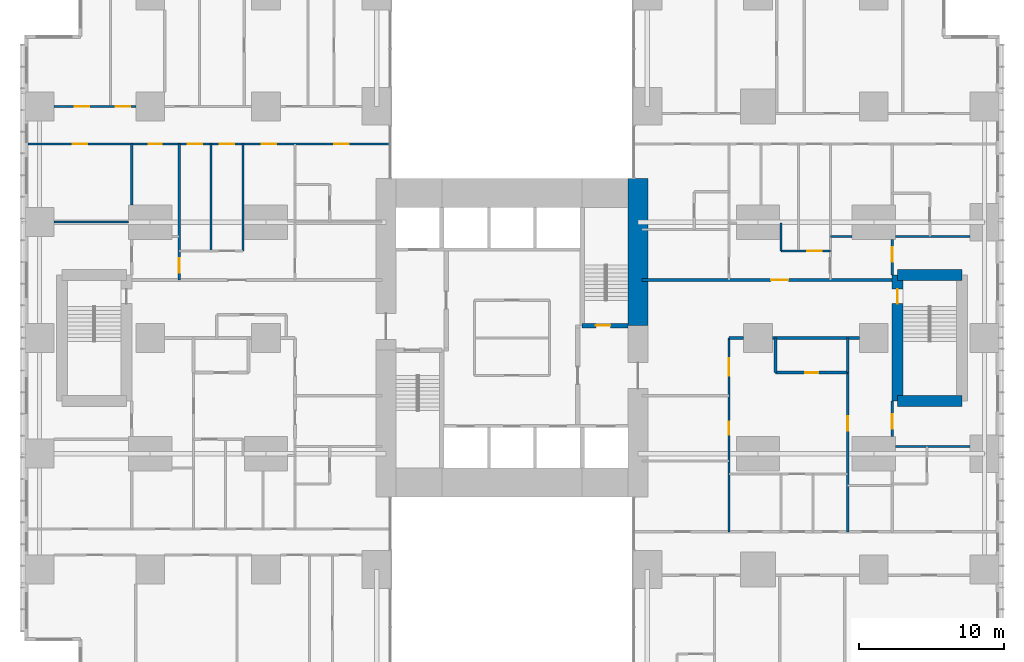
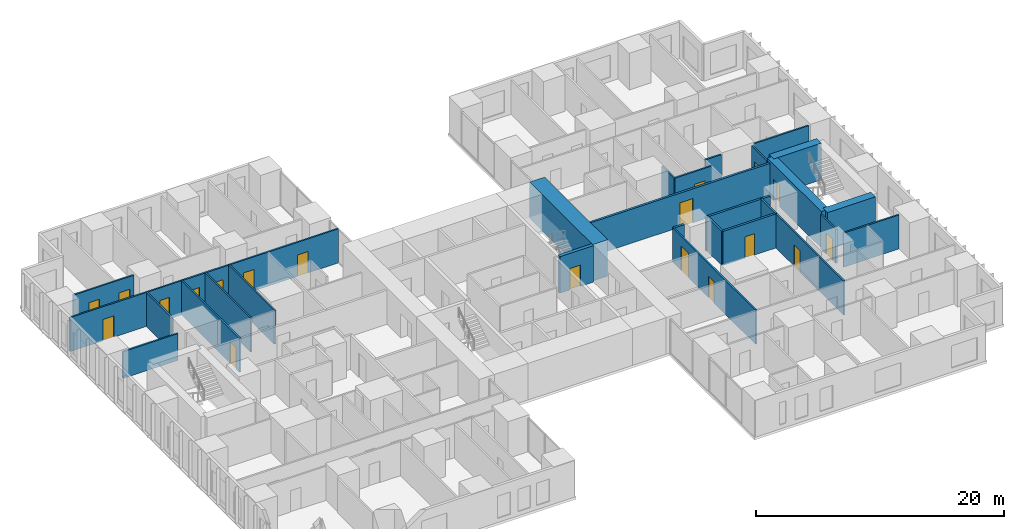
# One storey, part 16 of 20: 27 walls, 19 doors, 19 openings.
"""IFC4 building model written with IfcOpenShell, lengths in metres."""

from ifc_helpers import new_model, si_unit, direction, frame, frame_2d, origin, place, context, subcontext, project, spatial, rectangle, extrude, material, layer, layer_set, type_object, element, fill, save


model = new_model("IFC4")

# Units and contexts
model_context = context("Model", 3, precision=1e-05, world=origin(), true_north=direction((0.0, 1.0)))
body_context = subcontext(model_context, "Body", "Model", "MODEL_VIEW")
ifc_project = project(units=[si_unit("LENGTHUNIT", "METRE"), si_unit("AREAUNIT", "SQUARE_METRE"), si_unit("VOLUMEUNIT", "CUBIC_METRE"), si_unit("PLANEANGLEUNIT", "RADIAN"), si_unit("MASSUNIT", "GRAM", prefix="KILO")], contexts=[model_context])

# Site, building, storey
site_placement = place(None, origin())
site = spatial("IfcSite", under=ifc_project, at=site_placement, CompositionType="ELEMENT")
building_placement = place(site_placement, origin())
building = spatial("IfcBuilding", under=site, at=building_placement, Name="Cleftline Residences", CompositionType="ELEMENT")
storey_placement = place(building_placement, frame((0.0, 0.0, 99.800048828125)))
storey = spatial("IfcBuildingStorey", under=building, at=storey_placement, Name="L25", CompositionType="ELEMENT", Elevation=99.800048828125)

# Wall
ifc_material_1 = material(Name="Concrete B70", Category="concrete")
ifc_layer_1 = layer(ifc_material_1, 1.39990234375)
ifc_layer_set_1 = layer_set([ifc_layer_1], Name="CORE WALL 1400")
wall_type_1 = type_object("IfcWallType", Name="CORE WALL 1400", PredefinedType="SHEAR", material=ifc_layer_set_1)
wall_1_placement = place(storey_placement, frame((41.699951171875, 24.85009765625, 0.0), z_axis=(0.0, 0.0, 1.0), x_axis=(0.0, 1.0, 0.0)))
element("IfcWall", 1, at=wall_1_placement, inside=storey, type_object=wall_type_1, Name="Core wall E1", PredefinedType="SHEAR", context=body_context, shape_type="SweptSolid", body=[
    extrude(rectangle(XDim=10.14990234375, YDim=1.39990234375, at=frame_2d((5.074951171875, 0.0))), origin(), (0.0, 0.0, 1.0), 3.599853515625),
])

# Wall, opening, door
ifc_material_2 = material(Name="Concrete B70", Category="concrete")
ifc_layer_2 = layer(ifc_material_2, 0.300048828125)
ifc_layer_set_2 = layer_set([ifc_layer_2], Name="CORE WALL 300")
wall_type_2 = type_object("IfcWallType", Name="CORE WALL 300", PredefinedType="SHEAR", material=ifc_layer_set_2)
wall_2_placement = place(storey_placement, frame((37.85009765625, 24.85009765625, 0.0), z_axis=(0.0, 0.0, 1.0), x_axis=(1.0, 0.0, 0.0)))
wall_2 = element("IfcWall", 2, at=wall_2_placement, inside=storey, type_object=wall_type_2, Name="Core wall SB-S", PredefinedType="SHEAR", context=body_context, shape_type="SweptSolid", body=[
    extrude(rectangle(XDim=3.14990234375, YDim=0.300048828125, at=frame_2d((1.574951171875, 0.0))), origin(), (0.0, 0.0, 1.0), 3.599853515625),
])
opening_1_placement = place(wall_2_placement, frame((0.949951171875, 0.0, 0.0)))
opening_1 = element("IfcOpeningElement", 3, at=opening_1_placement, cuts=wall_2, Name="Opening D5", PredefinedType="OPENING", context=body_context, shape_type="SweptSolid", body=[
    extrude(rectangle(XDim=1.0, YDim=2.10009765625, at=frame_2d((0.5, 1.050048828125))), frame((0.0, 0.159912109375, 0.0), z_axis=(0.0, -1.0, 0.0), x_axis=(1.0, 0.0, 0.0)), (0.0, 0.0, 1.0), 0.320068359375),
])
ifc_material_3 = material(Name="Steel", Category="steel")
door_type_1 = type_object("IfcDoorType", Name="STAIR DOOR 1000X2100", OperationType="SINGLE_SWING_LEFT", PredefinedType="DOOR", material=ifc_material_3)
door_1_placement = place(opening_1_placement, origin())
door_1 = element("IfcDoor", 4, at=door_1_placement, inside=storey, type_object=door_type_1, Name="Stair B door", OperationType="SINGLE_SWING_RIGHT", OverallHeight=2.10009765625, OverallWidth=1.0, PredefinedType="DOOR", context=body_context, shape_type="SweptSolid", body=[
    extrude(rectangle(XDim=1.0, YDim=2.10009765625, at=frame_2d((0.5, 1.050048828125))), frame((0.0, 0.02490234375, 0.0), z_axis=(0.0, -1.0, 0.0), x_axis=(1.0, 0.0, 0.0)), (0.0, 0.0, 1.0), 0.050048828125),
])
fill(opening_1, door_1)

ifc_material_4 = material(Name="Concrete blockwork, fire rated", Category="masonry")
ifc_layer_3 = layer(ifc_material_4, 0.199951171875)
ifc_layer_set_3 = layer_set([ifc_layer_3], Name="FIRE WALL 200")
wall_type_3 = type_object("IfcWallType", Name="FIRE WALL 200", PredefinedType="PARTITIONING", material=ifc_layer_set_3)
wall_3_placement = place(storey_placement, frame((51.199951171875, 21.60009765625, 0.0), z_axis=(0.0, 0.0, 1.0), x_axis=(1.0, 0.0, 0.0)))
wall_3 = element("IfcWall", 5, at=wall_3_placement, inside=storey, type_object=wall_type_3, Name="Fire separating wall", PredefinedType="PARTITIONING", context=body_context, shape_type="SweptSolid", body=[
    extrude(rectangle(XDim=5.0, YDim=0.199951171875, at=frame_2d((2.5, 0.0))), origin(), (0.0, 0.0, 1.0), 3.349853515625),
])
opening_2_placement = place(wall_3_placement, frame((2.050048828125, 0.0, 0.0)))
opening_2 = element("IfcOpeningElement", 6, at=opening_2_placement, cuts=wall_3, Name="Opening D1F30", PredefinedType="OPENING", context=body_context, shape_type="SweptSolid", body=[
    extrude(rectangle(XDim=0.89990234375, YDim=2.10009765625, at=frame_2d((0.449951171875, 1.050048828125))), frame((0.0, 0.10986328125, 0.0), z_axis=(0.0, -1.0, 0.0), x_axis=(1.0, 0.0, 0.0)), (0.0, 0.0, 1.0), 0.219970703125),
])
ifc_material_5 = material(Name="Timber veneer on solid core", Category="wood")
door_type_2 = type_object("IfcDoorType", Name="DOOR 900X2100 EI 30", OperationType="SINGLE_SWING_LEFT", PredefinedType="DOOR", material=ifc_material_5)
door_2_placement = place(opening_2_placement, origin())
door_2 = element("IfcDoor", 7, at=door_2_placement, inside=storey, type_object=door_type_2, Name="Door to cloakroom wc", OperationType="SINGLE_SWING_LEFT", OverallHeight=2.10009765625, OverallWidth=0.89990234375, PredefinedType="DOOR", context=body_context, shape_type="SweptSolid", body=[
    extrude(rectangle(XDim=0.89990234375, YDim=2.10009765625, at=frame_2d((0.449951171875, 1.050048828125))), frame((0.0, 0.02490234375, 0.0), z_axis=(0.0, -1.0, 0.0), x_axis=(1.0, 0.0, 0.0)), (0.0, 0.0, 1.0), 0.050048828125),
])
fill(opening_2, door_2)

# Walls
wall_4_placement = place(storey_placement, frame((48.0, 24.0, 0.0), z_axis=(0.0, 0.0, 1.0), x_axis=(1.0, 0.0, 0.0)))
element("IfcWall", 8, at=wall_4_placement, inside=storey, type_object=wall_type_3, Name="Fire separating wall", PredefinedType="PARTITIONING", context=body_context, shape_type="SweptSolid", body=[
    extrude(rectangle(XDim=1.0, YDim=0.199951171875, at=frame_2d((0.5, 0.0))), origin(), (0.0, 0.0, 1.0), 3.349853515625),
])
wall_5_placement = place(storey_placement, frame((51.0, 24.0, 0.0), z_axis=(0.0, 0.0, 1.0), x_axis=(1.0, 0.0, 0.0)))
element("IfcWall", 9, at=wall_5_placement, inside=storey, type_object=wall_type_3, Name="Fire separating wall", PredefinedType="PARTITIONING", context=body_context, shape_type="SweptSolid", body=[
    extrude(rectangle(XDim=6.0, YDim=0.199951171875, at=frame_2d((3.0, 0.0))), origin(), (0.0, 0.0, 1.0), 3.349853515625),
])

# Wall, opening, door
wall_6_placement = place(storey_placement, frame((42.0, 28.0, 0.0), z_axis=(0.0, 0.0, 1.0), x_axis=(1.0, 0.0, 0.0)))
wall_6 = element("IfcWall", 10, at=wall_6_placement, inside=storey, type_object=wall_type_3, Name="Fire separating wall", PredefinedType="PARTITIONING", context=body_context, shape_type="SweptSolid", body=[
    extrude(rectangle(XDim=17.27490234375, YDim=0.199951171875, at=frame_2d((8.637451171875, 0.0))), origin(), (0.0, 0.0, 1.0), 3.349853515625),
])
opening_3_placement = place(wall_6_placement, frame((8.89990234375, 0.0, 0.0)))
opening_3 = element("IfcOpeningElement", 11, at=opening_3_placement, cuts=wall_6, Name="Opening D4", PredefinedType="OPENING", context=body_context, shape_type="SweptSolid", body=[
    extrude(rectangle(XDim=1.199951171875, YDim=2.39990234375, at=frame_2d((0.60009765625, 1.199951171875))), frame((0.0, 0.10986328125, 0.0), z_axis=(0.0, -1.0, 0.0), x_axis=(1.0, 0.0, 0.0)), (0.0, 0.0, 1.0), 0.219970703125),
])
ifc_material_6 = material(Name="Timber veneer on solid core", Category="wood")
door_type_3 = type_object("IfcDoorType", Name="APARTMENT ENTRANCE DOOR 1200X2400", OperationType="SINGLE_SWING_RIGHT", PredefinedType="DOOR", material=ifc_material_6)
door_3_placement = place(opening_3_placement, origin())
door_3 = element("IfcDoor", 12, at=door_3_placement, inside=storey, type_object=door_type_3, Name="Door to residence entrance foyer", OperationType="SINGLE_SWING_LEFT", OverallHeight=2.39990234375, OverallWidth=1.199951171875, PredefinedType="DOOR", context=body_context, shape_type="SweptSolid", body=[
    extrude(rectangle(XDim=1.199951171875, YDim=2.39990234375, at=frame_2d((0.60009765625, 1.199951171875))), frame((0.0, 0.02490234375, 0.0), z_axis=(0.0, -1.0, 0.0), x_axis=(1.0, 0.0, 0.0)), (0.0, 0.0, 1.0), 0.050048828125),
])
fill(opening_3, door_3)

# Walls
for number, where, z_axis, x_axis, name in (
    (13, (51.199951171875, 21.60009765625, 0.0), (0.0, 0.0, 1.0), (0.0, 1.0, 0.0), "Fire separating wall"),
    (14, (56.199951171875, 21.60009765625, 0.0), (0.0, 0.0, 1.0), (0.0, 1.0, 0.0), "Fire separating wall"),
):
    element("IfcWall", number, at=place(storey_placement, frame(where, z_axis=z_axis, x_axis=x_axis)), inside=storey, type_object=wall_type_3, Name=name, PredefinedType="PARTITIONING", context=body_context, shape_type="SweptSolid", body=[
        extrude(rectangle(XDim=2.39990234375, YDim=0.199951171875, at=frame_2d((1.199951171875, 0.0))), origin(), (0.0, 0.0, 1.0), 3.349853515625),
    ])
ifc_material_7 = material(Name="Gypsum board on steel studs", Category="steel")
ifc_layer_4 = layer(ifc_material_7, 0.14990234375)
ifc_layer_set_4 = layer_set([ifc_layer_4], Name="PARTITION 150")
wall_type_4 = type_object("IfcWallType", Name="PARTITION 150", PredefinedType="PARTITIONING", material=ifc_layer_set_4)
wall_7_placement = place(storey_placement, frame((59.5, 16.5, 0.0), z_axis=(0.0, 0.0, 1.0), x_axis=(1.0, 0.0, 0.0)))
element("IfcWall", 15, at=wall_7_placement, inside=storey, type_object=wall_type_4, Name="Partition", PredefinedType="PARTITIONING", context=body_context, shape_type="SweptSolid", body=[
    extrude(rectangle(XDim=5.14990234375, YDim=0.14990234375, at=frame_2d((2.574951171875, 0.0))), origin(), (0.0, 0.0, 1.0), 3.349853515625),
])

# Wall, opening, door
wall_8_placement = place(storey_placement, frame((51.60009765625, 30.0, 0.0), z_axis=(0.0, 0.0, 1.0), x_axis=(1.0, 0.0, 0.0)))
wall_8 = element("IfcWall", 16, at=wall_8_placement, inside=storey, type_object=wall_type_4, Name="Partition", PredefinedType="PARTITIONING", context=body_context, shape_type="SweptSolid", body=[
    extrude(rectangle(XDim=3.39990234375, YDim=0.14990234375, at=frame_2d((1.699951171875, 0.0))), origin(), (0.0, 0.0, 1.0), 3.349853515625),
])
opening_4_placement = place(wall_8_placement, frame((1.800048828125, 0.0, 0.0)))
opening_4 = element("IfcOpeningElement", 17, at=opening_4_placement, cuts=wall_8, Name="Opening D2", PredefinedType="OPENING", context=body_context, shape_type="SweptSolid", body=[
    extrude(rectangle(XDim=1.0, YDim=2.10009765625, at=frame_2d((0.5, 1.050048828125))), frame((0.0, 0.0849609375, 0.0), z_axis=(0.0, -1.0, 0.0), x_axis=(1.0, 0.0, 0.0)), (0.0, 0.0, 1.0), 0.169921875),
])
ifc_material_8 = material(Name="Timber veneer on solid core", Category="wood")
door_type_4 = type_object("IfcDoorType", Name="DOOR 1000X2100", OperationType="SINGLE_SWING_LEFT", PredefinedType="DOOR", material=ifc_material_8)
door_4_placement = place(opening_4_placement, origin())
door_4 = element("IfcDoor", 18, at=door_4_placement, inside=storey, type_object=door_type_4, Name="Door to residence passage", OperationType="SINGLE_SWING_LEFT", OverallHeight=2.10009765625, OverallWidth=1.0, PredefinedType="DOOR", context=body_context, shape_type="SweptSolid", body=[
    extrude(rectangle(XDim=1.0, YDim=2.10009765625, at=frame_2d((0.5, 1.050048828125))), frame((0.0, 0.02490234375, 0.0), z_axis=(0.0, -1.0, 0.0), x_axis=(1.0, 0.0, 0.0)), (0.0, 0.0, 1.0), 0.050048828125),
])
fill(opening_4, door_4)

# Walls
wall_9_placement = place(storey_placement, frame((55.0, 31.0, 0.0), z_axis=(0.0, 0.0, 1.0), x_axis=(1.0, 0.0, 0.0)))
element("IfcWall", 19, at=wall_9_placement, inside=storey, type_object=wall_type_4, Name="Partition", PredefinedType="PARTITIONING", context=body_context, shape_type="SweptSolid", body=[
    extrude(rectangle(XDim=1.5, YDim=0.14990234375, at=frame_2d((0.75, 0.0))), origin(), (0.0, 0.0, 1.0), 3.349853515625),
])
wall_10_placement = place(storey_placement, frame((59.5, 31.0, 0.0), z_axis=(0.0, 0.0, 1.0), x_axis=(1.0, 0.0, 0.0)))
element("IfcWall", 20, at=wall_10_placement, inside=storey, type_object=wall_type_4, Name="Partition", PredefinedType="PARTITIONING", context=body_context, shape_type="SweptSolid", body=[
    extrude(rectangle(XDim=5.14990234375, YDim=0.14990234375, at=frame_2d((2.574951171875, 0.0))), origin(), (0.0, 0.0, 1.0), 3.349853515625),
])
wall_11_placement = place(storey_placement, frame((1.35009765625, 32.0, 0.0), z_axis=(0.0, 0.0, 1.0), x_axis=(1.0, 0.0, 0.0)))
element("IfcWall", 21, at=wall_11_placement, inside=storey, type_object=wall_type_4, Name="Partition", PredefinedType="PARTITIONING", context=body_context, shape_type="SweptSolid", body=[
    extrude(rectangle(XDim=5.14990234375, YDim=0.14990234375, at=frame_2d((2.574951171875, 0.0))), origin(), (0.0, 0.0, 1.0), 2.634033203125),
])

# Wall, openings, doors
wall_12_placement = place(storey_placement, frame((-0.449951171875, 37.39990234375, 0.0), z_axis=(0.0, 0.0, 1.0), x_axis=(1.0, 0.0, 0.0)))
wall_12 = element("IfcWall", 22, at=wall_12_placement, inside=storey, type_object=wall_type_4, Name="Partition", PredefinedType="PARTITIONING", context=body_context, shape_type="SweptSolid", body=[
    extrude(rectangle(XDim=25.010986328125, YDim=0.14990234375, at=frame_2d((12.50537109375, 0.0))), origin(), (0.0, 0.0, 1.0), 3.349853515625),
])
opening_5_placement = place(wall_12_placement, frame((13.25, 0.0, 0.0)))
opening_5 = element("IfcOpeningElement", 23, at=opening_5_placement, cuts=wall_12, Name="Opening D2", PredefinedType="OPENING", context=body_context, shape_type="SweptSolid", body=[
    extrude(rectangle(XDim=1.0, YDim=2.10009765625, at=frame_2d((0.5, 1.050048828125))), frame((0.0, 0.0849609375, 0.0), z_axis=(0.0, -1.0, 0.0), x_axis=(1.0, 0.0, 0.0)), (0.0, 0.0, 1.0), 0.169921875),
])
opening_6_placement = place(wall_12_placement, frame((3.08740234375, 0.0, 0.0)))
opening_6 = element("IfcOpeningElement", 24, at=opening_6_placement, cuts=wall_12, Name="Opening D2", PredefinedType="OPENING", context=body_context, shape_type="SweptSolid", body=[
    extrude(rectangle(XDim=1.0, YDim=2.10009765625, at=frame_2d((0.5, 1.050048828125))), frame((0.0, 0.0849609375, 0.0), z_axis=(0.0, -1.0, 0.0), x_axis=(1.0, 0.0, 0.0)), (0.0, 0.0, 1.0), 0.169921875),
])
opening_7_placement = place(wall_12_placement, frame((8.362548828125, 0.0, 0.0)))
opening_7 = element("IfcOpeningElement", 25, at=opening_7_placement, cuts=wall_12, Name="Opening D1", PredefinedType="OPENING", context=body_context, shape_type="SweptSolid", body=[
    extrude(rectangle(XDim=0.89990234375, YDim=2.10009765625, at=frame_2d((0.449951171875, 1.050048828125))), frame((0.0, 0.0849609375, 0.0), z_axis=(0.0, -1.0, 0.0), x_axis=(1.0, 0.0, 0.0)), (0.0, 0.0, 1.0), 0.169921875),
])
opening_8_placement = place(wall_12_placement, frame((11.050048828125, 0.0, 0.0)))
opening_8 = element("IfcOpeningElement", 26, at=opening_8_placement, cuts=wall_12, Name="Opening D2", PredefinedType="OPENING", context=body_context, shape_type="SweptSolid", body=[
    extrude(rectangle(XDim=1.0, YDim=2.10009765625, at=frame_2d((0.5, 1.050048828125))), frame((0.0, 0.0849609375, 0.0), z_axis=(0.0, -1.0, 0.0), x_axis=(1.0, 0.0, 0.0)), (0.0, 0.0, 1.0), 0.169921875),
])
opening_9_placement = place(wall_12_placement, frame((16.14990234375, 0.0, 0.0)))
opening_9 = element("IfcOpeningElement", 27, at=opening_9_placement, cuts=wall_12, Name="Opening D2", PredefinedType="OPENING", context=body_context, shape_type="SweptSolid", body=[
    extrude(rectangle(XDim=1.0, YDim=2.10009765625, at=frame_2d((0.5, 1.050048828125))), frame((0.0, 0.0849609375, 0.0), z_axis=(0.0, -1.0, 0.0), x_axis=(1.0, 0.0, 0.0)), (0.0, 0.0, 1.0), 0.169921875),
])
opening_10_placement = place(wall_12_placement, frame((21.175048828125, 0.0, 0.0)))
opening_10 = element("IfcOpeningElement", 28, at=opening_10_placement, cuts=wall_12, Name="Opening D2", PredefinedType="OPENING", context=body_context, shape_type="SweptSolid", body=[
    extrude(rectangle(XDim=1.0, YDim=2.10009765625, at=frame_2d((0.5, 1.050048828125))), frame((0.0, 0.0849609375, 0.0), z_axis=(0.0, -1.0, 0.0), x_axis=(1.0, 0.0, 0.0)), (0.0, 0.0, 1.0), 0.169921875),
])
door_5_placement = place(opening_5_placement, origin())
door_5 = element("IfcDoor", 29, at=door_5_placement, inside=storey, type_object=door_type_4, Name="Door to residence hall", OperationType="SINGLE_SWING_LEFT", OverallHeight=2.10009765625, OverallWidth=1.0, PredefinedType="DOOR", context=body_context, shape_type="SweptSolid", body=[
    extrude(rectangle(XDim=1.0, YDim=2.10009765625, at=frame_2d((0.5, 1.050048828125))), frame((0.0, 0.02490234375, 0.0), z_axis=(0.0, -1.0, 0.0), x_axis=(1.0, 0.0, 0.0)), (0.0, 0.0, 1.0), 0.050048828125),
])
fill(opening_5, door_5)
door_6_placement = place(opening_6_placement, origin())
door_6 = element("IfcDoor", 30, at=door_6_placement, inside=storey, type_object=door_type_4, Name="Door to winter garden", OperationType="SINGLE_SWING_RIGHT", OverallHeight=2.10009765625, OverallWidth=1.0, PredefinedType="DOOR", context=body_context, shape_type="SweptSolid", body=[
    extrude(rectangle(XDim=1.0, YDim=2.10009765625, at=frame_2d((0.5, 1.050048828125))), frame((0.0, 0.02490234375, 0.0), z_axis=(0.0, -1.0, 0.0), x_axis=(1.0, 0.0, 0.0)), (0.0, 0.0, 1.0), 0.050048828125),
])
fill(opening_6, door_6)
door_7_placement = place(opening_8_placement, origin())
door_7 = element("IfcDoor", 31, at=door_7_placement, inside=storey, type_object=door_type_4, Name="Door to family room", OperationType="SINGLE_SWING_RIGHT", OverallHeight=2.10009765625, OverallWidth=1.0, PredefinedType="DOOR", context=body_context, shape_type="SweptSolid", body=[
    extrude(rectangle(XDim=1.0, YDim=2.10009765625, at=frame_2d((0.5, 1.050048828125))), frame((0.0, 0.02490234375, 0.0), z_axis=(0.0, -1.0, 0.0), x_axis=(1.0, 0.0, 0.0)), (0.0, 0.0, 1.0), 0.050048828125),
])
fill(opening_8, door_7)
door_8_placement = place(opening_9_placement, origin())
door_8 = element("IfcDoor", 32, at=door_8_placement, inside=storey, type_object=door_type_4, Name="Door to morning kitchen", OperationType="SINGLE_SWING_LEFT", OverallHeight=2.10009765625, OverallWidth=1.0, PredefinedType="DOOR", context=body_context, shape_type="SweptSolid", body=[
    extrude(rectangle(XDim=1.0, YDim=2.10009765625, at=frame_2d((0.5, 1.050048828125))), frame((0.0, 0.02490234375, 0.0), z_axis=(0.0, -1.0, 0.0), x_axis=(1.0, 0.0, 0.0)), (0.0, 0.0, 1.0), 0.050048828125),
])
fill(opening_9, door_8)
door_9_placement = place(opening_10_placement, origin())
door_9 = element("IfcDoor", 33, at=door_9_placement, inside=storey, type_object=door_type_4, Name="Door to bedroom 4", OperationType="SINGLE_SWING_LEFT", OverallHeight=2.10009765625, OverallWidth=1.0, PredefinedType="DOOR", context=body_context, shape_type="SweptSolid", body=[
    extrude(rectangle(XDim=1.0, YDim=2.10009765625, at=frame_2d((0.5, 1.050048828125))), frame((0.0, 0.02490234375, 0.0), z_axis=(0.0, -1.0, 0.0), x_axis=(1.0, 0.0, 0.0)), (0.0, 0.0, 1.0), 0.050048828125),
])
fill(opening_10, door_9)
ifc_material_9 = material(Name="Timber veneer on solid core", Category="wood")
door_type_5 = type_object("IfcDoorType", Name="DOOR 900X2100", OperationType="SINGLE_SWING_LEFT", PredefinedType="DOOR", material=ifc_material_9)
door_10_placement = place(opening_7_placement, origin())
door_10 = element("IfcDoor", 34, at=door_10_placement, inside=storey, type_object=door_type_5, Name="Door to master bathroom", OperationType="SINGLE_SWING_RIGHT", OverallHeight=2.10009765625, OverallWidth=0.89990234375, PredefinedType="DOOR", context=body_context, shape_type="SweptSolid", body=[
    extrude(rectangle(XDim=0.89990234375, YDim=2.10009765625, at=frame_2d((0.449951171875, 1.050048828125))), frame((0.0, 0.02490234375, 0.0), z_axis=(0.0, -1.0, 0.0), x_axis=(1.0, 0.0, 0.0)), (0.0, 0.0, 1.0), 0.050048828125),
])
fill(opening_7, door_10)

wall_13_placement = place(storey_placement, frame((1.35009765625, 40.0, 0.0), z_axis=(0.0, 0.0, 1.0), x_axis=(1.0, 0.0, 0.0)))
wall_13 = element("IfcWall", 35, at=wall_13_placement, inside=storey, type_object=wall_type_4, Name="Partition", PredefinedType="PARTITIONING", context=body_context, shape_type="SweptSolid", body=[
    extrude(rectangle(XDim=5.64990234375, YDim=0.14990234375, at=frame_2d((2.824951171875, 0.0))), origin(), (0.0, 0.0, 1.0), 3.349853515625),
])
opening_11_placement = place(wall_13_placement, frame((1.449951171875, 0.0, 0.0)))
opening_11 = element("IfcOpeningElement", 36, at=opening_11_placement, cuts=wall_13, Name="Opening D2", PredefinedType="OPENING", context=body_context, shape_type="SweptSolid", body=[
    extrude(rectangle(XDim=1.0, YDim=2.10009765625, at=frame_2d((0.5, 1.050048828125))), frame((0.0, 0.0849609375, 0.0), z_axis=(0.0, -1.0, 0.0), x_axis=(1.0, 0.0, 0.0)), (0.0, 0.0, 1.0), 0.169921875),
])
opening_12_placement = place(wall_13_placement, frame((4.27490234375, 0.0, 0.0)))
opening_12 = element("IfcOpeningElement", 37, at=opening_12_placement, cuts=wall_13, Name="Opening D2", PredefinedType="OPENING", context=body_context, shape_type="SweptSolid", body=[
    extrude(rectangle(XDim=1.0, YDim=2.10009765625, at=frame_2d((0.5, 1.050048828125))), frame((0.0, 0.0849609375, 0.0), z_axis=(0.0, -1.0, 0.0), x_axis=(1.0, 0.0, 0.0)), (0.0, 0.0, 1.0), 0.169921875),
])
door_11_placement = place(opening_11_placement, origin())
door_11 = element("IfcDoor", 38, at=door_11_placement, inside=storey, type_object=door_type_4, Name="Door to master bedroom", OperationType="SINGLE_SWING_RIGHT", OverallHeight=2.10009765625, OverallWidth=1.0, PredefinedType="DOOR", context=body_context, shape_type="SweptSolid", body=[
    extrude(rectangle(XDim=1.0, YDim=2.10009765625, at=frame_2d((0.5, 1.050048828125))), frame((0.0, 0.02490234375, 0.0), z_axis=(0.0, -1.0, 0.0), x_axis=(1.0, 0.0, 0.0)), (0.0, 0.0, 1.0), 0.050048828125),
])
fill(opening_11, door_11)
door_12_placement = place(opening_12_placement, origin())
door_12 = element("IfcDoor", 39, at=door_12_placement, inside=storey, type_object=door_type_4, Name="Door to master sitting room", OperationType="SINGLE_SWING_LEFT", OverallHeight=2.10009765625, OverallWidth=1.0, PredefinedType="DOOR", context=body_context, shape_type="SweptSolid", body=[
    extrude(rectangle(XDim=1.0, YDim=2.10009765625, at=frame_2d((0.5, 1.050048828125))), frame((0.0, 0.02490234375, 0.0), z_axis=(0.0, -1.0, 0.0), x_axis=(1.0, 0.0, 0.0)), (0.0, 0.0, 1.0), 0.050048828125),
])
fill(opening_12, door_12)

# Wall
wall_14_placement = place(storey_placement, frame((6.72509765625, 33.199951171875, 0.0), z_axis=(0.0, 0.0, 1.0), x_axis=(0.0, 1.0, 0.0)))
element("IfcWall", 40, at=wall_14_placement, inside=storey, type_object=wall_type_4, Name="Partition", PredefinedType="PARTITIONING", context=body_context, shape_type="SweptSolid", body=[
    extrude(rectangle(XDim=4.199951171875, YDim=0.14990234375, at=frame_2d((2.10009765625, 0.0))), origin(), (0.0, 0.0, 1.0), 3.349853515625),
])

# Wall, opening, door
wall_15_placement = place(storey_placement, frame((10.0, 28.0, 0.0), z_axis=(0.0, 0.0, 1.0), x_axis=(0.0, 1.0, 0.0)))
wall_15 = element("IfcWall", 41, at=wall_15_placement, inside=storey, type_object=wall_type_4, Name="Partition", PredefinedType="PARTITIONING", context=body_context, shape_type="SweptSolid", body=[
    extrude(rectangle(XDim=9.39990234375, YDim=0.14990234375, at=frame_2d((4.699951171875, 0.0))), origin(), (0.0, 0.0, 1.0), 3.349853515625),
])
opening_13_placement = place(wall_15_placement, frame((0.5, 0.0, 0.0)))
opening_13 = element("IfcOpeningElement", 42, at=opening_13_placement, cuts=wall_15, Name="Opening D2F30", PredefinedType="OPENING", context=body_context, shape_type="SweptSolid", body=[
    extrude(rectangle(XDim=1.0, YDim=2.10009765625, at=frame_2d((0.5, 1.050048828125))), frame((0.0, 0.0849609375, 0.0), z_axis=(0.0, -1.0, 0.0), x_axis=(1.0, 0.0, 0.0)), (0.0, 0.0, 1.0), 0.169921875),
])
ifc_material_10 = material(Name="Timber veneer on solid core", Category="wood")
door_type_6 = type_object("IfcDoorType", Name="DOOR 1000X2100 EI 30", OperationType="SINGLE_SWING_LEFT", PredefinedType="DOOR", material=ifc_material_10)
door_13_placement = place(opening_13_placement, origin())
door_13 = element("IfcDoor", 43, at=door_13_placement, inside=storey, type_object=door_type_6, Name="Door to residence lobby (service)", OperationType="SINGLE_SWING_RIGHT", OverallHeight=2.10009765625, OverallWidth=1.0, PredefinedType="DOOR", context=body_context, shape_type="SweptSolid", body=[
    extrude(rectangle(XDim=1.0, YDim=2.10009765625, at=frame_2d((0.5, 1.050048828125))), frame((0.0, 0.02490234375, 0.0), z_axis=(0.0, -1.0, 0.0), x_axis=(1.0, 0.0, 0.0)), (0.0, 0.0, 1.0), 0.050048828125),
])
fill(opening_13, door_13)

# Walls
for number, where, z_axis, x_axis, name in (
    (44, (12.199951171875, 30.0, 0.0), (0.0, 0.0, 1.0), (0.0, 1.0, 0.0), "Partition"),
    (45, (14.39990234375, 30.0, 0.0), (0.0, 0.0, 1.0), (0.0, 1.0, 0.0), "Partition"),
):
    element("IfcWall", number, at=place(storey_placement, frame(where, z_axis=z_axis, x_axis=x_axis)), inside=storey, type_object=wall_type_4, Name=name, PredefinedType="PARTITIONING", context=body_context, shape_type="SweptSolid", body=[
        extrude(rectangle(XDim=7.39990234375, YDim=0.14990234375, at=frame_2d((3.699951171875, 0.0))), origin(), (0.0, 0.0, 1.0), 3.349853515625),
    ])

# Wall, openings, doors
wall_16_placement = place(storey_placement, frame((48.0, 10.60009765625, 0.0), z_axis=(0.0, 0.0, 1.0), x_axis=(0.0, 1.0, 0.0)))
wall_16 = element("IfcWall", 46, at=wall_16_placement, inside=storey, type_object=wall_type_4, Name="Partition", PredefinedType="PARTITIONING", context=body_context, shape_type="SweptSolid", body=[
    extrude(rectangle(XDim=13.39990234375, YDim=0.14990234375, at=frame_2d((6.699951171875, 0.0))), origin(), (0.0, 0.0, 1.0), 3.349853515625),
])
opening_14_placement = place(wall_16_placement, frame((10.800048828125, 0.0, 0.0)))
opening_14 = element("IfcOpeningElement", 47, at=opening_14_placement, cuts=wall_16, Name="Opening D4", PredefinedType="OPENING", context=body_context, shape_type="SweptSolid", body=[
    extrude(rectangle(XDim=1.199951171875, YDim=2.39990234375, at=frame_2d((0.60009765625, 1.199951171875))), frame((0.0, 0.0849609375, 0.0), z_axis=(0.0, -1.0, 0.0), x_axis=(1.0, 0.0, 0.0)), (0.0, 0.0, 1.0), 0.169921875),
])
opening_15_placement = place(wall_16_placement, frame((6.699951171875, 0.0, 0.0)))
opening_15 = element("IfcOpeningElement", 48, at=opening_15_placement, cuts=wall_16, Name="Opening D1F60", PredefinedType="OPENING", context=body_context, shape_type="SweptSolid", body=[
    extrude(rectangle(XDim=0.89990234375, YDim=2.10009765625, at=frame_2d((0.449951171875, 1.050048828125))), frame((0.0, 0.0849609375, 0.0), z_axis=(0.0, -1.0, 0.0), x_axis=(1.0, 0.0, 0.0)), (0.0, 0.0, 1.0), 0.169921875),
])
door_14_placement = place(opening_14_placement, origin())
door_14 = element("IfcDoor", 49, at=door_14_placement, inside=storey, type_object=door_type_3, Name="Door to residence entrance foyer", OperationType="SINGLE_SWING_LEFT", OverallHeight=2.39990234375, OverallWidth=1.199951171875, PredefinedType="DOOR", context=body_context, shape_type="SweptSolid", body=[
    extrude(rectangle(XDim=1.199951171875, YDim=2.39990234375, at=frame_2d((0.60009765625, 1.199951171875))), frame((0.0, 0.02490234375, 0.0), z_axis=(0.0, -1.0, 0.0), x_axis=(1.0, 0.0, 0.0)), (0.0, 0.0, 1.0), 0.050048828125),
])
fill(opening_14, door_14)
ifc_material_11 = material(Name="Timber veneer on solid core", Category="wood")
door_type_7 = type_object("IfcDoorType", Name="DOOR 900X2100 EI 60", OperationType="SINGLE_SWING_LEFT", PredefinedType="DOOR", material=ifc_material_11)
door_15_placement = place(opening_15_placement, origin())
door_15 = element("IfcDoor", 50, at=door_15_placement, inside=storey, type_object=door_type_7, Name="Door to utility room", OperationType="SINGLE_SWING_LEFT", OverallHeight=2.10009765625, OverallWidth=0.89990234375, PredefinedType="DOOR", context=body_context, shape_type="SweptSolid", body=[
    extrude(rectangle(XDim=0.89990234375, YDim=2.10009765625, at=frame_2d((0.449951171875, 1.050048828125))), frame((0.0, 0.02490234375, 0.0), z_axis=(0.0, -1.0, 0.0), x_axis=(1.0, 0.0, 0.0)), (0.0, 0.0, 1.0), 0.050048828125),
])
fill(opening_15, door_15)

# Wall
wall_17_placement = place(storey_placement, frame((51.60009765625, 30.0, 0.0), z_axis=(0.0, 0.0, 1.0), x_axis=(0.0, 1.0, 0.0)))
element("IfcWall", 51, at=wall_17_placement, inside=storey, type_object=wall_type_4, Name="Partition", PredefinedType="PARTITIONING", context=body_context, shape_type="SweptSolid", body=[
    extrude(rectangle(XDim=1.949951171875, YDim=0.14990234375, at=frame_2d((0.97509765625, 0.0))), origin(), (0.0, 0.0, 1.0), 3.349853515625),
])

# Wall, opening, door
wall_18_placement = place(storey_placement, frame((56.199951171875, 10.60009765625, 0.0), z_axis=(0.0, 0.0, 1.0), x_axis=(0.0, 1.0, 0.0)))
wall_18 = element("IfcWall", 52, at=wall_18_placement, inside=storey, type_object=wall_type_4, Name="Partition", PredefinedType="PARTITIONING", context=body_context, shape_type="SweptSolid", body=[
    extrude(rectangle(XDim=11.0, YDim=0.14990234375, at=frame_2d((5.5, 0.0))), origin(), (0.0, 0.0, 1.0), 3.349853515625),
])
opening_16_placement = place(wall_18_placement, frame((7.0, 0.0, 0.0)))
opening_16 = element("IfcOpeningElement", 53, at=opening_16_placement, cuts=wall_18, Name="Opening D2F30", PredefinedType="OPENING", context=body_context, shape_type="SweptSolid", body=[
    extrude(rectangle(XDim=1.0, YDim=2.10009765625, at=frame_2d((0.5, 1.050048828125))), frame((0.0, 0.0849609375, 0.0), z_axis=(0.0, -1.0, 0.0), x_axis=(1.0, 0.0, 0.0)), (0.0, 0.0, 1.0), 0.169921875),
])
door_16_placement = place(opening_16_placement, origin())
door_16 = element("IfcDoor", 54, at=door_16_placement, inside=storey, type_object=door_type_6, Name="Door to residence lobby", OperationType="SINGLE_SWING_LEFT", OverallHeight=2.10009765625, OverallWidth=1.0, PredefinedType="DOOR", context=body_context, shape_type="SweptSolid", body=[
    extrude(rectangle(XDim=1.0, YDim=2.10009765625, at=frame_2d((0.5, 1.050048828125))), frame((0.0, 0.02490234375, 0.0), z_axis=(0.0, -1.0, 0.0), x_axis=(1.0, 0.0, 0.0)), (0.0, 0.0, 1.0), 0.050048828125),
])
fill(opening_16, door_16)

wall_19_placement = place(storey_placement, frame((59.27490234375, 17.199951171875, 0.0), z_axis=(0.0, 0.0, 1.0), x_axis=(0.0, 1.0, 0.0)))
wall_19 = element("IfcWall", 55, at=wall_19_placement, inside=storey, type_object=wall_type_4, Name="Partition", PredefinedType="PARTITIONING", context=body_context, shape_type="SweptSolid", body=[
    extrude(rectangle(XDim=2.449951171875, YDim=0.14990234375, at=frame_2d((1.22509765625, 0.0))), origin(), (0.0, 0.0, 1.0), 3.349853515625),
])
opening_17_placement = place(wall_19_placement, frame((0.53759765625, 0.0, 0.0)))
opening_17 = element("IfcOpeningElement", 56, at=opening_17_placement, cuts=wall_19, Name="Opening D2", PredefinedType="OPENING", context=body_context, shape_type="SweptSolid", body=[
    extrude(rectangle(XDim=1.0, YDim=2.10009765625, at=frame_2d((0.5, 1.050048828125))), frame((0.0, 0.0849609375, 0.0), z_axis=(0.0, -1.0, 0.0), x_axis=(1.0, 0.0, 0.0)), (0.0, 0.0, 1.0), 0.169921875),
])
door_17_placement = place(opening_17_placement, origin())
door_17 = element("IfcDoor", 57, at=door_17_placement, inside=storey, type_object=door_type_4, Name="Door to bedroom 2", OperationType="SINGLE_SWING_RIGHT", OverallHeight=2.10009765625, OverallWidth=1.0, PredefinedType="DOOR", context=body_context, shape_type="SweptSolid", body=[
    extrude(rectangle(XDim=1.0, YDim=2.10009765625, at=frame_2d((0.5, 1.050048828125))), frame((0.0, 0.02490234375, 0.0), z_axis=(0.0, -1.0, 0.0), x_axis=(1.0, 0.0, 0.0)), (0.0, 0.0, 1.0), 0.050048828125),
])
fill(opening_17, door_17)

wall_20_placement = place(storey_placement, frame((59.27490234375, 28.35009765625, 0.0), z_axis=(0.0, 0.0, 1.0), x_axis=(0.0, 1.0, 0.0)))
wall_20 = element("IfcWall", 58, at=wall_20_placement, inside=storey, type_object=wall_type_4, Name="Partition", PredefinedType="PARTITIONING", context=body_context, shape_type="SweptSolid", body=[
    extrude(rectangle(XDim=2.449951171875, YDim=0.14990234375, at=frame_2d((1.22509765625, 0.0))), origin(), (0.0, 0.0, 1.0), 3.349853515625),
])
opening_18_placement = place(wall_20_placement, frame((0.91259765625, 0.0, 0.0)))
opening_18 = element("IfcOpeningElement", 59, at=opening_18_placement, cuts=wall_20, Name="Opening D2", PredefinedType="OPENING", context=body_context, shape_type="SweptSolid", body=[
    extrude(rectangle(XDim=1.0, YDim=2.10009765625, at=frame_2d((0.5, 1.050048828125))), frame((0.0, 0.0849609375, 0.0), z_axis=(0.0, -1.0, 0.0), x_axis=(1.0, 0.0, 0.0)), (0.0, 0.0, 1.0), 0.169921875),
])
door_18_placement = place(opening_18_placement, origin())
door_18 = element("IfcDoor", 60, at=door_18_placement, inside=storey, type_object=door_type_4, Name="Door to altar room", OperationType="SINGLE_SWING_LEFT", OverallHeight=2.10009765625, OverallWidth=1.0, PredefinedType="DOOR", context=body_context, shape_type="SweptSolid", body=[
    extrude(rectangle(XDim=1.0, YDim=2.10009765625, at=frame_2d((0.5, 1.050048828125))), frame((0.0, 0.02490234375, 0.0), z_axis=(0.0, -1.0, 0.0), x_axis=(1.0, 0.0, 0.0)), (0.0, 0.0, 1.0), 0.050048828125),
])
fill(opening_18, door_18)

# Walls
ifc_material_12 = material(Name="Concrete B70", Category="concrete")
ifc_layer_5 = layer(ifc_material_12, 0.75)
ifc_layer_set_5 = layer_set([ifc_layer_5], Name="SHEAR WALL 750")
wall_type_5 = type_object("IfcWallType", Name="SHEAR WALL 750", PredefinedType="SHEAR", material=ifc_layer_set_5)
for number, where, z_axis, x_axis, name in (
    (61, (59.64990234375, 19.64990234375, 0.0), (0.0, 0.0, 1.0), (1.0, 0.0, 0.0), "Wing shear wall"),
    (62, (64.10009765625, 28.35009765625, 0.0), (0.0, 0.0, 1.0), (-1.0, 0.0, 0.0), "Wing shear wall"),
):
    element("IfcWall", number, at=place(storey_placement, frame(where, z_axis=z_axis, x_axis=x_axis)), inside=storey, type_object=wall_type_5, Name=name, PredefinedType="SHEAR", context=body_context, shape_type="SweptSolid", body=[
        extrude(rectangle(XDim=4.4501953125, YDim=0.75, at=frame_2d((2.22509765625, 0.0))), origin(), (0.0, 0.0, 1.0), 3.599853515625),
    ])

# Wall, opening, door
wall_21_placement = place(storey_placement, frame((59.64990234375, 28.35009765625, 0.0), z_axis=(0.0, 0.0, 1.0), x_axis=(0.0, -1.0, 0.0)))
wall_21 = element("IfcWall", 63, at=wall_21_placement, inside=storey, type_object=wall_type_5, Name="Wing shear wall", PredefinedType="SHEAR", context=body_context, shape_type="SweptSolid", body=[
    extrude(rectangle(XDim=8.7001953125, YDim=0.75, at=frame_2d((4.35009765625, 0.0))), origin(), (0.0, 0.0, 1.0), 3.599853515625),
])
opening_19_placement = place(wall_21_placement, frame((0.97509765625, 0.0, 0.0)))
opening_19 = element("IfcOpeningElement", 64, at=opening_19_placement, cuts=wall_21, Name="Opening D5", PredefinedType="OPENING", context=body_context, shape_type="SweptSolid", body=[
    extrude(rectangle(XDim=1.0, YDim=2.10009765625, at=frame_2d((0.5, 1.050048828125))), frame((0.0, 0.385009765625, 0.0), z_axis=(0.0, -1.0, 0.0), x_axis=(1.0, 0.0, 0.0)), (0.0, 0.0, 1.0), 0.77001953125),
])
door_19_placement = place(opening_19_placement, origin())
door_19 = element("IfcDoor", 65, at=door_19_placement, inside=storey, type_object=door_type_1, Name="Stair E door", OperationType="SINGLE_SWING_RIGHT", OverallHeight=2.10009765625, OverallWidth=1.0, PredefinedType="DOOR", context=body_context, shape_type="SweptSolid", body=[
    extrude(rectangle(XDim=1.0, YDim=2.10009765625, at=frame_2d((0.5, 1.050048828125))), frame((0.0, 0.02490234375, 0.0), z_axis=(0.0, -1.0, 0.0), x_axis=(1.0, 0.0, 0.0)), (0.0, 0.0, 1.0), 0.050048828125),
])
fill(opening_19, door_19)

save(model, "model.ifc")
